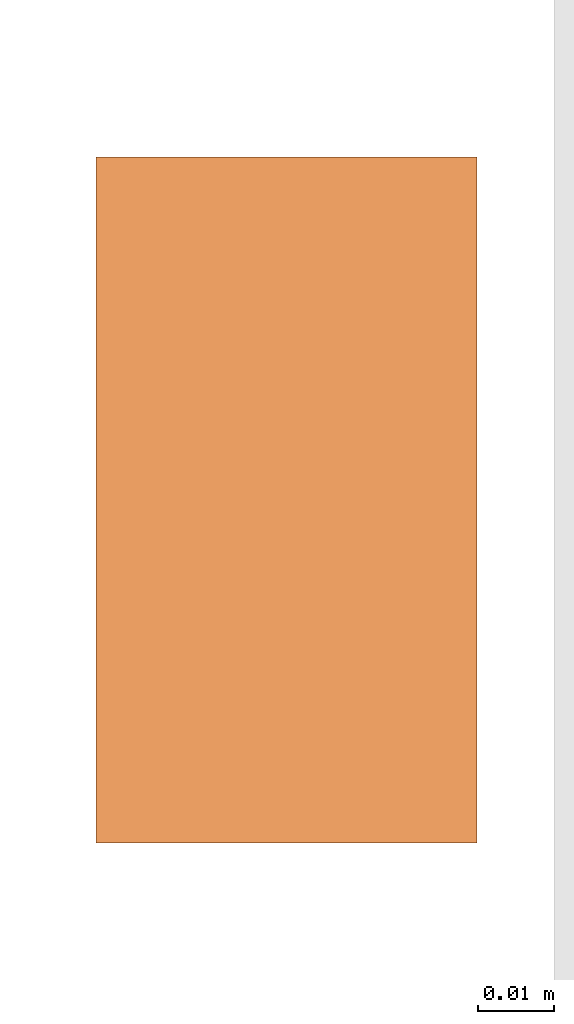
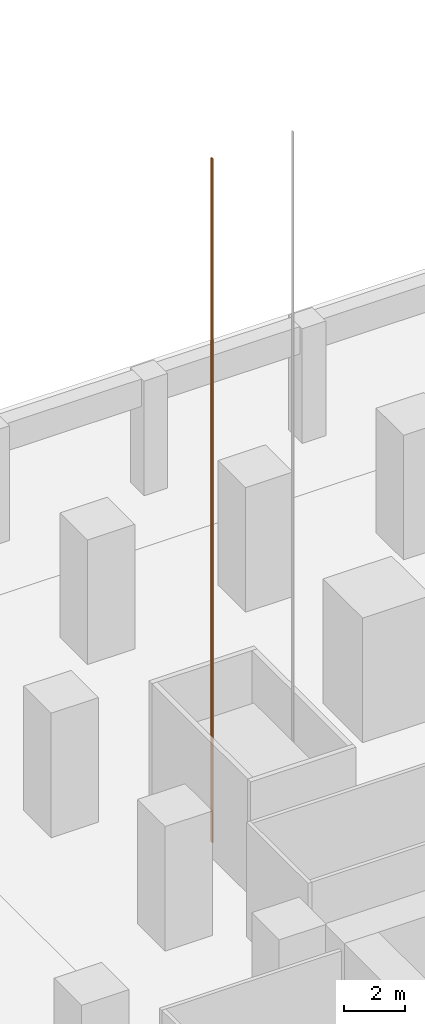
# One storey, part 19 of 20: 1 proxy.
"""IFC4 building model written with IfcOpenShell, lengths in metres."""

from ifc_helpers import new_model, si_unit, direction, frame, origin, origin_2d, place, context, subcontext, project, spatial, rectangle, extrude, material, element, save


model = new_model("IFC4")

# Units and contexts
model_context = context("Model", 3, precision=1e-05, world=origin(), true_north=direction((0.0, 1.0)))
body_context = subcontext(model_context, "Body", "Model", "MODEL_VIEW")
ifc_project = project(units=[si_unit("LENGTHUNIT", "METRE"), si_unit("AREAUNIT", "SQUARE_METRE"), si_unit("VOLUMEUNIT", "CUBIC_METRE"), si_unit("PLANEANGLEUNIT", "RADIAN"), si_unit("MASSUNIT", "GRAM", prefix="KILO")], contexts=[model_context])

# Site, building, storey
site_placement = place(None, origin())
site = spatial("IfcSite", under=ifc_project, at=site_placement, CompositionType="ELEMENT")
building_placement = place(site_placement, origin())
building = spatial("IfcBuilding", under=site, at=building_placement, Name="Mizan Broadcast Tower", CompositionType="ELEMENT")
storey_placement = place(building_placement, frame((0.0, 0.0, -5.0)))
storey = spatial("IfcBuildingStorey", under=building, at=storey_placement, Name="B1", CompositionType="ELEMENT", Elevation=-5.0)

# Proxy
ifc_material = material(Name="Steel guide rail", Category="steel")
proxy_placement = place(storey_placement, frame((-8.43505859375, 23.25, 0.0), z_axis=(0.0, 0.0, 1.0), x_axis=(1.0, 0.0, 0.0)))
element("IfcBuildingElementProxy", 1, at=proxy_placement, inside=storey, material=ifc_material, Name="Guide rail GL1-1", PredefinedType="NOTDEFINED", context=body_context, shape_type="SweptSolid", body=[
    extrude(rectangle(XDim=0.050048828125, YDim=0.090087890625, at=origin_2d()), origin(), (0.0, 0.0, 1.0), 27.449951171875),
])

save(model, "model.ifc")
